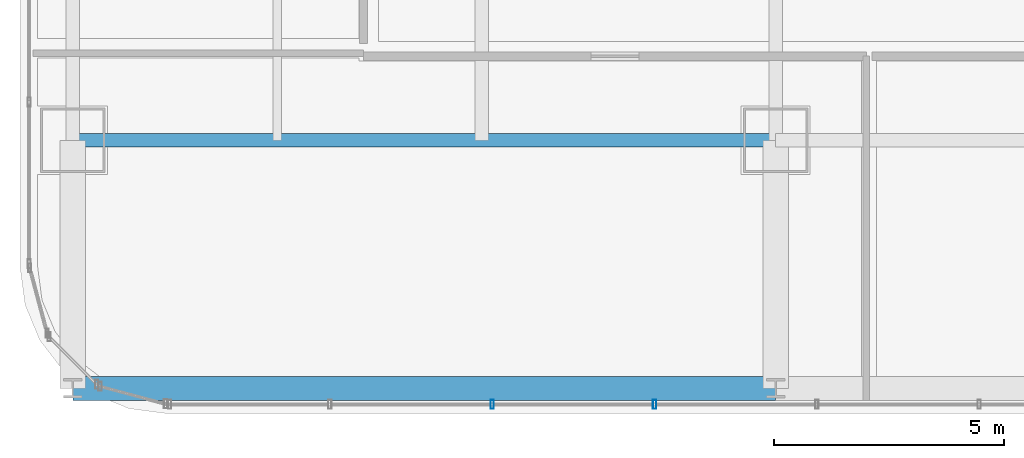
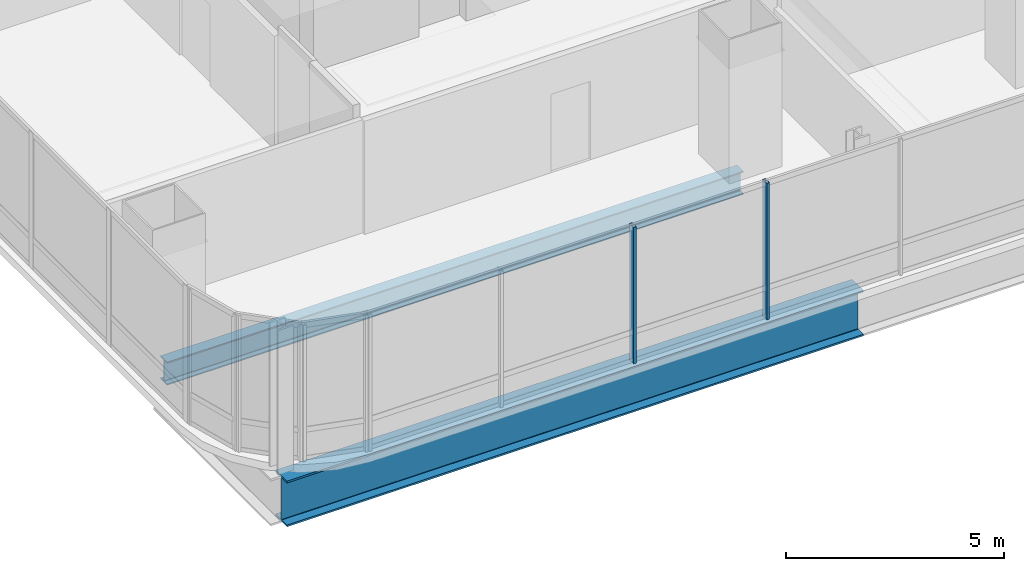
# One storey, part 3 of 36: 2 beams, 2 members, 1 element without a shape of its own.
"""IFC4 building model written with IfcOpenShell, lengths in metres."""

from ifc_helpers import new_model, si_unit, direction, frame, origin, origin_2d, place, context, subcontext, project, spatial, hollow_rectangle, i_section, extrude, material, material_profile, profile_set, type_object, element, aggregate, save


model = new_model("IFC4")

# Units and contexts
model_context = context("Model", 3, precision=1e-05, world=origin(), true_north=direction((0.0, 1.0)))
body_context = subcontext(model_context, "Body", "Model", "MODEL_VIEW")
ifc_project = project(units=[si_unit("LENGTHUNIT", "METRE"), si_unit("AREAUNIT", "SQUARE_METRE"), si_unit("VOLUMEUNIT", "CUBIC_METRE"), si_unit("PLANEANGLEUNIT", "RADIAN"), si_unit("MASSUNIT", "GRAM", prefix="KILO")], contexts=[model_context])

# Site, building, storey
site_placement = place(None, origin())
site = spatial("IfcSite", under=ifc_project, at=site_placement, CompositionType="ELEMENT")
building_placement = place(site_placement, origin())
building = spatial("IfcBuilding", under=site, at=building_placement, Name="Punatoya Terracotta Tower", CompositionType="ELEMENT")
storey_placement = place(building_placement, frame((0.0, 0.0, 208.64990234375)))
storey = spatial("IfcBuildingStorey", under=building, at=storey_placement, Name="L49", CompositionType="ELEMENT", Elevation=208.64990234375)

# Beams
ifc_material_1 = material(Name="Steel S355", Category="steel")
ifc_material_profile_1 = material_profile(ifc_material_1, i_section(OverallWidth=0.300048828125, OverallDepth=0.64990234375, WebThickness=0.01611328125, FlangeThickness=0.031005859375, FilletRadius=0.01806640625, at=origin_2d()))
ifc_profile_set_1 = profile_set([ifc_material_profile_1], Name="Steel S355")
beam_type_1 = type_object("IfcBeamType", Name="BM-PRI-650", PredefinedType="BEAM", material=ifc_profile_set_1)
beam_1_placement = place(storey_placement, frame((-19.10009765625, -17.5, -0.544921875), z_axis=(1.0, 0.0, 0.0), x_axis=(0.0, 1.0, 0.0)))
element("IfcBeam", 1, at=beam_1_placement, inside=storey, type_object=beam_type_1, Name="BM-L49-RG-S1", PredefinedType="BEAM", context=body_context, shape_type="SweptSolid", body=[
    extrude(i_section(OverallWidth=0.300048828125, OverallDepth=0.64990234375, WebThickness=0.01611328125, FlangeThickness=0.031005859375, FilletRadius=0.01806640625, at=origin_2d()), origin(), (0.0, 0.0, 1.0), 15.300048828125),
])
ifc_material_2 = material(Name="Steel S460", Category="steel")
ifc_material_profile_2 = material_profile(ifc_material_2, i_section(OverallWidth=0.52001953125, OverallDepth=1.280029296875, WebThickness=0.031982421875, FlangeThickness=0.050048828125, FilletRadius=0.01806640625, at=origin_2d()))
ifc_profile_set_2 = profile_set([ifc_material_profile_2], Name="Steel S460")
beam_type_2 = type_object("IfcBeamType", Name="BM-TG-NCK", PredefinedType="BEAM", material=ifc_profile_set_2)
beam_2_placement = place(storey_placement, frame((-19.10009765625, -22.89990234375, -0.85986328125), z_axis=(1.0, 0.0, 0.0), x_axis=(0.0, 1.0, 0.0)))
element("IfcBeam", 2, at=beam_2_placement, inside=storey, type_object=beam_type_2, Name="BM-L49-PER-S1", PredefinedType="BEAM", context=body_context, shape_type="SweptSolid", body=[
    extrude(i_section(OverallWidth=0.52001953125, OverallDepth=1.280029296875, WebThickness=0.031982421875, FlangeThickness=0.050048828125, FilletRadius=0.01806640625, at=origin_2d()), origin(), (0.0, 0.0, 1.0), 15.300048828125),
])

# Curtain wall, members
ifc_material_3 = material(Name="Aluminium 6063-T6 + Double Low-E Glass", Category="aluminium")
curtain_wall_type = type_object("IfcCurtainWallType", Name="CW-M2", PredefinedType="NOTDEFINED", material=ifc_material_3)
curtain_wall_placement = place(storey_placement, origin())
curtain_wall = element("IfcCurtainWall", 3, at=curtain_wall_placement, inside=storey, type_object=curtain_wall_type, Name="L49 Curtain Wall CW-L49-S01-1", PredefinedType="NOTDEFINED")
ifc_material_4 = material(Name="Aluminium 6063-T6", Category="aluminium")
ifc_material_profile_3 = material_profile(ifc_material_4, hollow_rectangle(XDim=0.072021484375, YDim=0.195068359375, WallThickness=0.00439453125, at=origin_2d()))
ifc_profile_set_3 = profile_set([ifc_material_profile_3], Name="Aluminium 6063-T6")
member_type = type_object("IfcMemberType", Name="CW-MUL-M2", PredefinedType="MULLION", material=ifc_profile_set_3)
member_1_placement = place(storey_placement, frame((-9.968994140625, -23.25, 0.0), z_axis=(0.0, 0.0, 1.0), x_axis=(1.0, 0.0, 0.0)))
member_1 = element("IfcMember", 4, at=member_1_placement, type_object=member_type, Name="CW-L49-S01-1 Mullion 02", PredefinedType="MULLION", context=body_context, shape_type="SweptSolid", body=[
    extrude(hollow_rectangle(XDim=0.072021484375, YDim=0.195068359375, WallThickness=0.00439453125, at=origin_2d()), origin(), (0.0, 0.0, 1.0), 3.830078125),
])
member_2_placement = place(storey_placement, frame((-6.43505859375, -23.25, 0.0), z_axis=(0.0, 0.0, 1.0), x_axis=(1.0, 0.0, 0.0)))
member_2 = element("IfcMember", 5, at=member_2_placement, type_object=member_type, Name="CW-L49-S01-1 Mullion 03", PredefinedType="MULLION", context=body_context, shape_type="SweptSolid", body=[
    extrude(hollow_rectangle(XDim=0.072021484375, YDim=0.195068359375, WallThickness=0.00439453125, at=origin_2d()), origin(), (0.0, 0.0, 1.0), 3.830078125),
])
aggregate(curtain_wall, [member_1, member_2])

save(model, "model.ifc")
